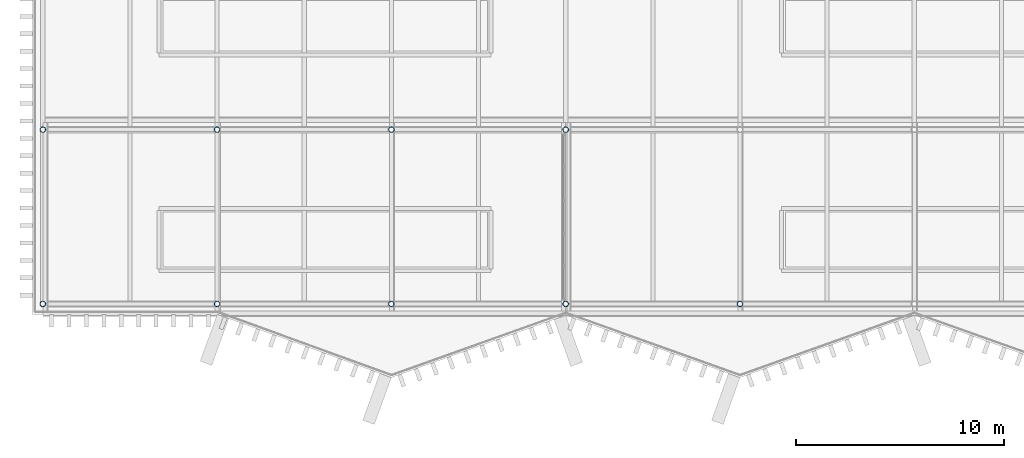
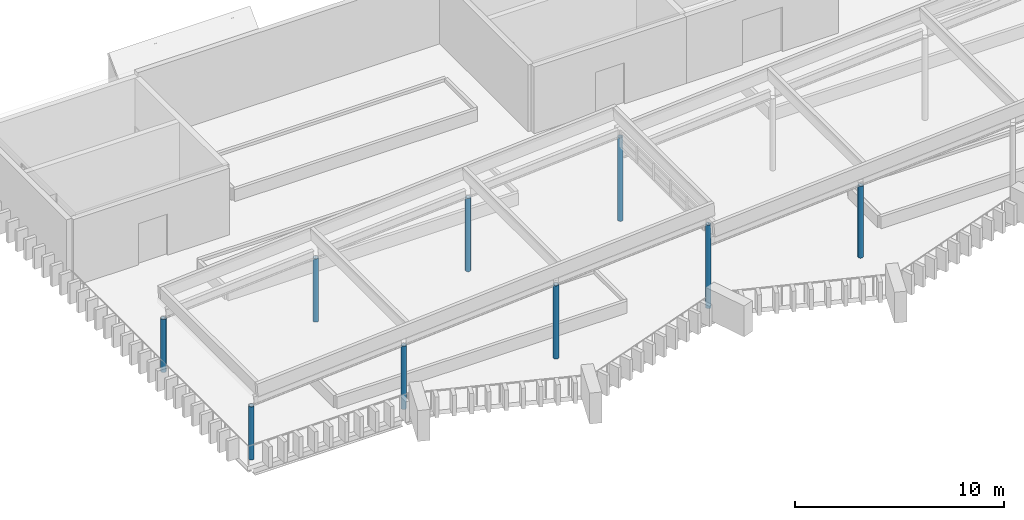
# One storey, part 1 of 51: 9 columns.
"""IFC4 building model written with IfcOpenShell, lengths in metres."""

import ifcopenshell
import ifcopenshell.guid

model = None  # the IFC model being written
_history = None  # IfcOwnerHistory: only IFC2X3 demands one
_inside = {}  # id of a spatial element -> (the spatial element, [elements in it])
_under = {}  # id of a project, library or spatial element -> (it, [spatial elements below it])
_declared = {}  # id of a project -> (the project, [libraries it declares])
_typed = {}  # id of a type object -> (the type object, [elements of that type])
_made_of = {}  # id of a material, layer set ... -> (it, [elements and type objects made of it])


def new_model(schema):
    """Start an empty IFC model of exactly this schema.

    Asked for "IFC4X3", IfcOpenShell would pick the latest addendum, in which some entities
    have other attributes; the version numbers below select the first issue.
    IFC2X3 requires an IfcOwnerHistory on every rooted entity: one is made here for all.
    """
    global model, _history
    if schema == "IFC4X3":
        model = ifcopenshell.file(schema_version=(4, 3, 0, 0))
    else:
        model = ifcopenshell.file(schema=schema)
    _inside.clear()
    _under.clear()
    _declared.clear()
    _typed.clear()
    _made_of.clear()
    _history = None
    if model.schema == "IFC2X3":
        org = make("IfcOrganization", Name="unknown")
        user = make(
            "IfcPersonAndOrganization",
            ThePerson=make("IfcPerson", FamilyName="unknown"),
            TheOrganization=org,
        )
        app = make(
            "IfcApplication",
            ApplicationDeveloper=org,
            Version="unknown",
            ApplicationFullName="unknown",
            ApplicationIdentifier="unknown",
        )
        _history = make(
            "IfcOwnerHistory",
            OwningUser=user,
            OwningApplication=app,
            ChangeAction="ADDED",
            CreationDate=0,
        )
    return model


def make(cls, **values):
    """One entity of the class cls with the attributes given. An attribute that is None is left unset."""
    return model.create_entity(
        cls, **{name: value for name, value in values.items() if value is not None}
    )


def rooted(cls, **values):
    """An entity with a GlobalId (a new one), such as an element, a storey or a relation."""
    return make(cls, GlobalId=ifcopenshell.guid.new(), OwnerHistory=_history, **values)


def si_unit(unit_type, name, prefix=None):
    """IfcSIUnit, for example si_unit("LENGTHUNIT", "METRE", prefix="MILLI")."""
    return make("IfcSIUnit", UnitType=unit_type, Prefix=prefix, Name=name)


def assignment(units):
    """IfcUnitAssignment: the units of a project."""
    return None if units is None else make("IfcUnitAssignment", Units=units)


def point(xyz):
    """IfcCartesianPoint."""
    return None if xyz is None else make("IfcCartesianPoint", Coordinates=xyz)


def direction(xyz):
    """IfcDirection."""
    return None if xyz is None else make("IfcDirection", DirectionRatios=xyz)


def frame(location, z_axis=None, x_axis=None):
    """IfcAxis2Placement3D, a coordinate frame: its origin and axes. An axis left out is left unset."""
    return make(
        "IfcAxis2Placement3D",
        Location=point(location),
        Axis=direction(z_axis),
        RefDirection=direction(x_axis),
    )


def frame_2d(location, x_axis=None):
    """IfcAxis2Placement2D, a coordinate frame in the plane: its origin and x axis."""
    return make(
        "IfcAxis2Placement2D", Location=point(location), RefDirection=direction(x_axis)
    )


def origin():
    """The frame at (0, 0, 0) with its axes left unset."""
    return frame((0.0, 0.0, 0.0))


def origin_2d():
    """The frame at (0, 0) in the plane with its x axis left unset."""
    return frame_2d((0.0, 0.0))


def place(relative_to, where):
    """IfcLocalPlacement: puts the frame where relative to a parent placement (None: the world)."""
    return make(
        "IfcLocalPlacement", PlacementRelTo=relative_to, RelativePlacement=where
    )


def context(
    kind, dimensions, precision=None, world=None, true_north=None, identifier=None
):
    """IfcGeometricRepresentationContext, for example the 3D "Model" context."""
    return make(
        "IfcGeometricRepresentationContext",
        ContextIdentifier=identifier,
        ContextType=kind,
        CoordinateSpaceDimension=dimensions,
        Precision=precision,
        WorldCoordinateSystem=world,
        TrueNorth=true_north,
    )


def subcontext(parent, identifier, kind, view, scale=None):
    """IfcGeometricRepresentationSubContext, for example "Body" below "Model"."""
    return make(
        "IfcGeometricRepresentationSubContext",
        ContextIdentifier=identifier,
        ContextType=kind,
        ParentContext=parent,
        TargetScale=scale,
        TargetView=view,
    )


def project(units=None, contexts=None):
    """IfcProject with its units and contexts."""
    return rooted(
        "IfcProject",
        Name="project",
        RepresentationContexts=contexts,
        UnitsInContext=assignment(units),
    )


def spatial(cls, under=None, at=None, **own):
    """A site, building, storey or space (cls), placed at a placement, below another one or the project."""
    s = rooted(cls, ObjectPlacement=at, **own)
    if under is not None:
        _under.setdefault(under.id(), (under, []))[1].append(s)
    return s


def profile(cls, at=None, kind="AREA", **sizes):
    """A parametric profile (cls). Its sizes go by their IFC names, for example OverallWidth=200.0."""
    return make(cls, ProfileType=kind, Position=at, **sizes)


def hollow_circle(**sizes):
    """IfcCircleHollowProfileDef."""
    return profile("IfcCircleHollowProfileDef", **sizes)


def extrude(swept, where, along, depth):
    """IfcExtrudedAreaSolid: the profile swept, set in the frame where, extruded along a direction by depth."""
    return make(
        "IfcExtrudedAreaSolid",
        SweptArea=swept,
        Position=where,
        ExtrudedDirection=direction(along),
        Depth=depth,
    )


def shape(context_of_items, identifier, shape_type, items):
    """IfcShapeRepresentation: the items that make up one representation, for example the "Body"."""
    return make(
        "IfcShapeRepresentation",
        ContextOfItems=context_of_items,
        RepresentationIdentifier=identifier,
        RepresentationType=shape_type,
        Items=items,
    )


def material(Name=None, Category=None):
    """IfcMaterial."""
    return make("IfcMaterial", Name=Name, Category=Category)


def material_profile(
    of_material, cross_section, Name=None, Category=None, Priority=None
):
    """IfcMaterialProfile: a cross section and its material."""
    return make(
        "IfcMaterialProfile",
        Name=Name,
        Material=of_material,
        Profile=cross_section,
        Priority=Priority,
        Category=Category,
    )


def profile_set(profiles, Name=None, composite=None):
    """IfcMaterialProfileSet."""
    return make(
        "IfcMaterialProfileSet",
        Name=Name,
        MaterialProfiles=profiles,
        CompositeProfile=composite,
    )


def made_of(thing, what):
    """Note that an element or type object is made of a material, layer set ...; save() writes the relation."""
    if what is not None:
        _made_of.setdefault(what.id(), (what, []))[1].append(thing)
    return thing


def type_object(cls, material=None, **own):
    """A type object (cls), such as IfcWallType, which elements share."""
    return made_of(rooted(cls, **own), material)


def element(
    cls,
    number,
    at=None,
    inside=None,
    cuts=None,
    type_object=None,
    material=None,
    context=None,
    identifier="Body",
    shape_type=None,
    held_by="IfcProductDefinitionShape",
    body=None,
    shapes=None,
    **own,
):
    """One element of the class cls, such as IfcWall. Its Tag is "e" and its number.

    at: its placement. inside: the storey or other place that contains it. cuts: it is an
    opening in that element (IfcRelVoidsElement). A single representation is given by context,
    identifier, shape_type and body (its items); several are given by shapes. held_by: the class
    of the entity that holds the representations. save() writes the other relations.
    """
    e = rooted(cls, Tag="e%d" % number, ObjectPlacement=at, **own)
    if body is not None:
        shapes = [shape(context, identifier, shape_type, body)]
    if shapes is not None:
        e.Representation = make(held_by, Representations=shapes)
    if inside is not None:
        _inside.setdefault(inside.id(), (inside, []))[1].append(e)
    if cuts is not None:
        rooted(
            "IfcRelVoidsElement", RelatingBuildingElement=cuts, RelatedOpeningElement=e
        )
    if type_object is not None:
        _typed.setdefault(type_object.id(), (type_object, []))[1].append(e)
    return made_of(e, material)


def aggregate(whole, parts):
    """IfcRelAggregates: a whole, such as a stair, and the parts it consists of."""
    return rooted("IfcRelAggregates", RelatingObject=whole, RelatedObjects=parts)


def save(model, path):
    """Write the relations noted so far, then the file.

    IfcRelAggregates (storeys below a building ...), IfcRelContainedInSpatialStructure (elements
    in a storey), IfcRelDefinesByType, IfcRelAssociatesMaterial and IfcRelDeclares: one each for
    every whole, place, type object, material and project.
    """
    for whole, parts in _under.values():
        aggregate(whole, parts)
    for where, things in _inside.values():
        rooted(
            "IfcRelContainedInSpatialStructure",
            RelatedElements=things,
            RelatingStructure=where,
        )
    for kind, things in _typed.values():
        rooted("IfcRelDefinesByType", RelatedObjects=things, RelatingType=kind)
    for what, things in _made_of.values():
        rooted("IfcRelAssociatesMaterial", RelatedObjects=things, RelatingMaterial=what)
    for by, libraries in _declared.values():
        rooted("IfcRelDeclares", RelatingContext=by, RelatedDefinitions=libraries)
    model.write(path)


model = new_model("IFC4")

# Units and contexts
model_context = context("Model", 3, precision=1e-05, world=origin(), true_north=direction((0.0, 1.0)))
body_context = subcontext(model_context, "Body", "Model", "MODEL_VIEW")
ifc_project = project(units=[si_unit("LENGTHUNIT", "METRE"), si_unit("AREAUNIT", "SQUARE_METRE"), si_unit("VOLUMEUNIT", "CUBIC_METRE"), si_unit("PLANEANGLEUNIT", "RADIAN"), si_unit("MASSUNIT", "GRAM", prefix="KILO")], contexts=[model_context])

# Site, building, storey
site_placement = place(None, origin())
site = spatial("IfcSite", under=ifc_project, at=site_placement, CompositionType="ELEMENT")
building_placement = place(site_placement, origin())
building = spatial("IfcBuilding", under=site, at=building_placement, Name="Cresset Court Congress Hotel", CompositionType="ELEMENT")
storey_placement = place(building_placement, frame((0.0, 0.0, 18.60009765625)))
storey = spatial("IfcBuildingStorey", under=building, at=storey_placement, Name="L04", CompositionType="ELEMENT", Elevation=18.60009765625)

# Columns
ifc_material = material(Name="Structural steel Q355B", Category="steel")
ifc_material_profile = material_profile(ifc_material, hollow_circle(Radius=0.136474609375, WallThickness=0.011962890625, at=origin_2d()), Name="CHS273x12")
ifc_profile_set = profile_set([ifc_material_profile], Name="Structural steel Q355B")
column_type = type_object("IfcColumnType", Name="Steel column CHS273x12", PredefinedType="COLUMN", material=ifc_profile_set)
for number, where, z_axis, x_axis, name in (
    (1, (8.39990234375, 0.0, 0.0), (0.0, 0.0, 1.0), (1.0, 0.0, 0.0), "Roof column 2A"),
    (2, (8.39990234375, 8.39990234375, 0.0), (0.0, 0.0, 1.0), (1.0, 0.0, 0.0), "Roof column 2B"),
):
    element("IfcColumn", number, at=place(storey_placement, frame(where, z_axis=z_axis, x_axis=x_axis)), inside=storey, type_object=column_type, Name=name, PredefinedType="COLUMN", context=body_context, shape_type="SweptSolid", body=[
        extrude(hollow_circle(Radius=0.136474609375, WallThickness=0.011962890625, at=origin_2d()), origin(), (0.0, 0.0, 1.0), 3.099853515625),
    ])
for number, where, z_axis, x_axis, name in (
    (3, (16.800048828125, 0.0, 0.0), (0.0, 0.0, 1.0), (1.0, 0.0, 0.0), "Roof column 3A"),
    (4, (16.800048828125, 8.39990234375, 0.0), (0.0, 0.0, 1.0), (1.0, 0.0, 0.0), "Roof column 3B"),
):
    element("IfcColumn", number, at=place(storey_placement, frame(where, z_axis=z_axis, x_axis=x_axis)), inside=storey, type_object=column_type, Name=name, PredefinedType="COLUMN", context=body_context, shape_type="SweptSolid", body=[
        extrude(hollow_circle(Radius=0.136474609375, WallThickness=0.011962890625, at=origin_2d()), origin(), (0.0, 0.0, 1.0), 3.68798828125),
    ])
for number, where, z_axis, x_axis, name in (
    (5, (25.199951171875, 0.0, 0.0), (0.0, 0.0, 1.0), (1.0, 0.0, 0.0), "Roof column 4A"),
    (6, (25.199951171875, 8.39990234375, 0.0), (0.0, 0.0, 1.0), (1.0, 0.0, 0.0), "Roof column 4B"),
):
    element("IfcColumn", number, at=place(storey_placement, frame(where, z_axis=z_axis, x_axis=x_axis)), inside=storey, type_object=column_type, Name=name, PredefinedType="COLUMN", context=body_context, shape_type="SweptSolid", body=[
        extrude(hollow_circle(Radius=0.136474609375, WallThickness=0.011962890625, at=origin_2d()), origin(), (0.0, 0.0, 1.0), 4.27587890625),
    ])
for number, where, z_axis, x_axis, name in (
    (7, (33.60009765625, 0.0, 0.0), (0.0, 0.0, 1.0), (1.0, 0.0, 0.0), "Roof column 5A"),
    (8, (33.60009765625, 8.39990234375, 0.0), (0.0, 0.0, 1.0), (1.0, 0.0, 0.0), "Roof column 5B"),
):
    element("IfcColumn", number, at=place(storey_placement, frame(where, z_axis=z_axis, x_axis=x_axis)), inside=storey, type_object=column_type, Name=name, PredefinedType="COLUMN", context=body_context, shape_type="SweptSolid", body=[
        extrude(hollow_circle(Radius=0.136474609375, WallThickness=0.011962890625, at=origin_2d()), origin(), (0.0, 0.0, 1.0), 4.864013671875),
    ])
column_placement = place(storey_placement, frame((42.0, 0.0, 0.0), z_axis=(0.0, 0.0, 1.0), x_axis=(1.0, 0.0, 0.0)))
element("IfcColumn", 9, at=column_placement, inside=storey, type_object=column_type, Name="Roof column 6A", PredefinedType="COLUMN", context=body_context, shape_type="SweptSolid", body=[
    extrude(hollow_circle(Radius=0.136474609375, WallThickness=0.011962890625, at=origin_2d()), origin(), (0.0, 0.0, 1.0), 4.18798828125),
])

save(model, "model.ifc")
